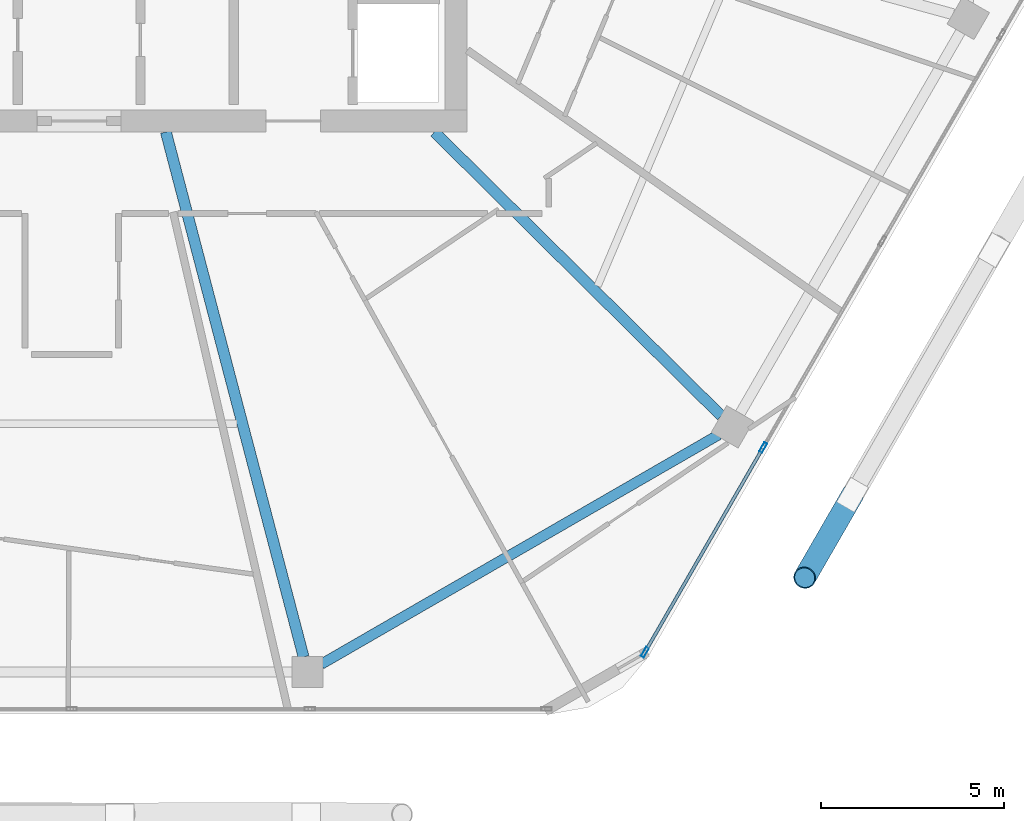
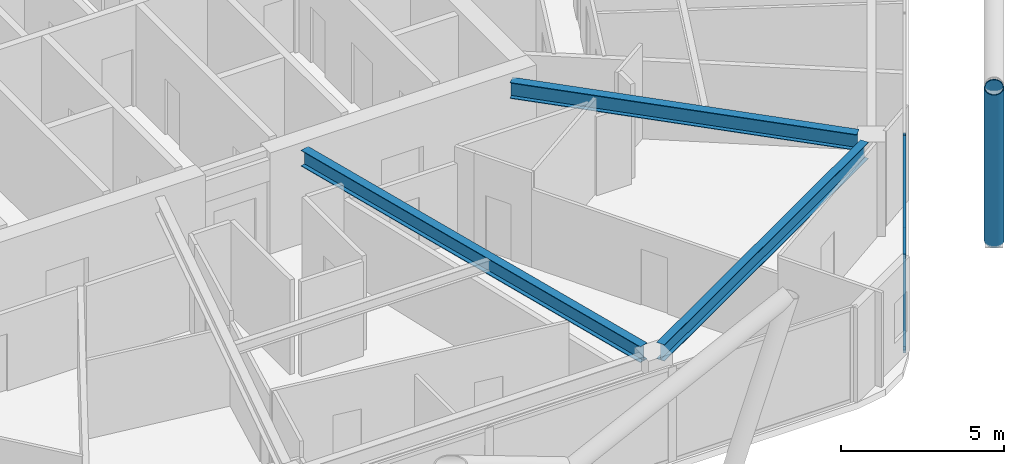
# One storey, part 8 of 28: 5 members, 3 beams, 1 element without a shape of its own.
"""IFC4 building model written with IfcOpenShell, lengths in metres."""

import ifcopenshell
import ifcopenshell.guid

model = None  # the IFC model being written
_history = None  # IfcOwnerHistory: only IFC2X3 demands one
_inside = {}  # id of a spatial element -> (the spatial element, [elements in it])
_under = {}  # id of a project, library or spatial element -> (it, [spatial elements below it])
_declared = {}  # id of a project -> (the project, [libraries it declares])
_typed = {}  # id of a type object -> (the type object, [elements of that type])
_made_of = {}  # id of a material, layer set ... -> (it, [elements and type objects made of it])


def new_model(schema):
    """Start an empty IFC model of exactly this schema.

    Asked for "IFC4X3", IfcOpenShell would pick the latest addendum, in which some entities
    have other attributes; the version numbers below select the first issue.
    IFC2X3 requires an IfcOwnerHistory on every rooted entity: one is made here for all.
    """
    global model, _history
    if schema == "IFC4X3":
        model = ifcopenshell.file(schema_version=(4, 3, 0, 0))
    else:
        model = ifcopenshell.file(schema=schema)
    _inside.clear()
    _under.clear()
    _declared.clear()
    _typed.clear()
    _made_of.clear()
    _history = None
    if model.schema == "IFC2X3":
        org = make("IfcOrganization", Name="unknown")
        user = make(
            "IfcPersonAndOrganization",
            ThePerson=make("IfcPerson", FamilyName="unknown"),
            TheOrganization=org,
        )
        app = make(
            "IfcApplication",
            ApplicationDeveloper=org,
            Version="unknown",
            ApplicationFullName="unknown",
            ApplicationIdentifier="unknown",
        )
        _history = make(
            "IfcOwnerHistory",
            OwningUser=user,
            OwningApplication=app,
            ChangeAction="ADDED",
            CreationDate=0,
        )
    return model


def make(cls, **values):
    """One entity of the class cls with the attributes given. An attribute that is None is left unset."""
    return model.create_entity(
        cls, **{name: value for name, value in values.items() if value is not None}
    )


def rooted(cls, **values):
    """An entity with a GlobalId (a new one), such as an element, a storey or a relation."""
    return make(cls, GlobalId=ifcopenshell.guid.new(), OwnerHistory=_history, **values)


def si_unit(unit_type, name, prefix=None):
    """IfcSIUnit, for example si_unit("LENGTHUNIT", "METRE", prefix="MILLI")."""
    return make("IfcSIUnit", UnitType=unit_type, Prefix=prefix, Name=name)


def assignment(units):
    """IfcUnitAssignment: the units of a project."""
    return None if units is None else make("IfcUnitAssignment", Units=units)


def point(xyz):
    """IfcCartesianPoint."""
    return None if xyz is None else make("IfcCartesianPoint", Coordinates=xyz)


def direction(xyz):
    """IfcDirection."""
    return None if xyz is None else make("IfcDirection", DirectionRatios=xyz)


def frame(location, z_axis=None, x_axis=None):
    """IfcAxis2Placement3D, a coordinate frame: its origin and axes. An axis left out is left unset."""
    return make(
        "IfcAxis2Placement3D",
        Location=point(location),
        Axis=direction(z_axis),
        RefDirection=direction(x_axis),
    )


def frame_2d(location, x_axis=None):
    """IfcAxis2Placement2D, a coordinate frame in the plane: its origin and x axis."""
    return make(
        "IfcAxis2Placement2D", Location=point(location), RefDirection=direction(x_axis)
    )


def origin():
    """The frame at (0, 0, 0) with its axes left unset."""
    return frame((0.0, 0.0, 0.0))


def origin_2d():
    """The frame at (0, 0) in the plane with its x axis left unset."""
    return frame_2d((0.0, 0.0))


def place(relative_to, where):
    """IfcLocalPlacement: puts the frame where relative to a parent placement (None: the world)."""
    return make(
        "IfcLocalPlacement", PlacementRelTo=relative_to, RelativePlacement=where
    )


def context(
    kind, dimensions, precision=None, world=None, true_north=None, identifier=None
):
    """IfcGeometricRepresentationContext, for example the 3D "Model" context."""
    return make(
        "IfcGeometricRepresentationContext",
        ContextIdentifier=identifier,
        ContextType=kind,
        CoordinateSpaceDimension=dimensions,
        Precision=precision,
        WorldCoordinateSystem=world,
        TrueNorth=true_north,
    )


def subcontext(parent, identifier, kind, view, scale=None):
    """IfcGeometricRepresentationSubContext, for example "Body" below "Model"."""
    return make(
        "IfcGeometricRepresentationSubContext",
        ContextIdentifier=identifier,
        ContextType=kind,
        ParentContext=parent,
        TargetScale=scale,
        TargetView=view,
    )


def project(units=None, contexts=None):
    """IfcProject with its units and contexts."""
    return rooted(
        "IfcProject",
        Name="project",
        RepresentationContexts=contexts,
        UnitsInContext=assignment(units),
    )


def spatial(cls, under=None, at=None, **own):
    """A site, building, storey or space (cls), placed at a placement, below another one or the project."""
    s = rooted(cls, ObjectPlacement=at, **own)
    if under is not None:
        _under.setdefault(under.id(), (under, []))[1].append(s)
    return s


def profile(cls, at=None, kind="AREA", **sizes):
    """A parametric profile (cls). Its sizes go by their IFC names, for example OverallWidth=200.0."""
    return make(cls, ProfileType=kind, Position=at, **sizes)


def hollow_rectangle(**sizes):
    """IfcRectangleHollowProfileDef."""
    return profile("IfcRectangleHollowProfileDef", **sizes)


def hollow_circle(**sizes):
    """IfcCircleHollowProfileDef."""
    return profile("IfcCircleHollowProfileDef", **sizes)


def i_section(**sizes):
    """IfcIShapeProfileDef."""
    return profile("IfcIShapeProfileDef", **sizes)


def extrude(swept, where, along, depth):
    """IfcExtrudedAreaSolid: the profile swept, set in the frame where, extruded along a direction by depth."""
    return make(
        "IfcExtrudedAreaSolid",
        SweptArea=swept,
        Position=where,
        ExtrudedDirection=direction(along),
        Depth=depth,
    )


def shape(context_of_items, identifier, shape_type, items):
    """IfcShapeRepresentation: the items that make up one representation, for example the "Body"."""
    return make(
        "IfcShapeRepresentation",
        ContextOfItems=context_of_items,
        RepresentationIdentifier=identifier,
        RepresentationType=shape_type,
        Items=items,
    )


def material(Name=None, Category=None):
    """IfcMaterial."""
    return make("IfcMaterial", Name=Name, Category=Category)


def material_profile(
    of_material, cross_section, Name=None, Category=None, Priority=None
):
    """IfcMaterialProfile: a cross section and its material."""
    return make(
        "IfcMaterialProfile",
        Name=Name,
        Material=of_material,
        Profile=cross_section,
        Priority=Priority,
        Category=Category,
    )


def profile_set(profiles, Name=None, composite=None):
    """IfcMaterialProfileSet."""
    return make(
        "IfcMaterialProfileSet",
        Name=Name,
        MaterialProfiles=profiles,
        CompositeProfile=composite,
    )


def made_of(thing, what):
    """Note that an element or type object is made of a material, layer set ...; save() writes the relation."""
    if what is not None:
        _made_of.setdefault(what.id(), (what, []))[1].append(thing)
    return thing


def type_object(cls, material=None, **own):
    """A type object (cls), such as IfcWallType, which elements share."""
    return made_of(rooted(cls, **own), material)


def element(
    cls,
    number,
    at=None,
    inside=None,
    cuts=None,
    type_object=None,
    material=None,
    context=None,
    identifier="Body",
    shape_type=None,
    held_by="IfcProductDefinitionShape",
    body=None,
    shapes=None,
    **own,
):
    """One element of the class cls, such as IfcWall. Its Tag is "e" and its number.

    at: its placement. inside: the storey or other place that contains it. cuts: it is an
    opening in that element (IfcRelVoidsElement). A single representation is given by context,
    identifier, shape_type and body (its items); several are given by shapes. held_by: the class
    of the entity that holds the representations. save() writes the other relations.
    """
    e = rooted(cls, Tag="e%d" % number, ObjectPlacement=at, **own)
    if body is not None:
        shapes = [shape(context, identifier, shape_type, body)]
    if shapes is not None:
        e.Representation = make(held_by, Representations=shapes)
    if inside is not None:
        _inside.setdefault(inside.id(), (inside, []))[1].append(e)
    if cuts is not None:
        rooted(
            "IfcRelVoidsElement", RelatingBuildingElement=cuts, RelatedOpeningElement=e
        )
    if type_object is not None:
        _typed.setdefault(type_object.id(), (type_object, []))[1].append(e)
    return made_of(e, material)


def aggregate(whole, parts):
    """IfcRelAggregates: a whole, such as a stair, and the parts it consists of."""
    return rooted("IfcRelAggregates", RelatingObject=whole, RelatedObjects=parts)


def save(model, path):
    """Write the relations noted so far, then the file.

    IfcRelAggregates (storeys below a building ...), IfcRelContainedInSpatialStructure (elements
    in a storey), IfcRelDefinesByType, IfcRelAssociatesMaterial and IfcRelDeclares: one each for
    every whole, place, type object, material and project.
    """
    for whole, parts in _under.values():
        aggregate(whole, parts)
    for where, things in _inside.values():
        rooted(
            "IfcRelContainedInSpatialStructure",
            RelatedElements=things,
            RelatingStructure=where,
        )
    for kind, things in _typed.values():
        rooted("IfcRelDefinesByType", RelatedObjects=things, RelatingType=kind)
    for what, things in _made_of.values():
        rooted("IfcRelAssociatesMaterial", RelatedObjects=things, RelatingMaterial=what)
    for by, libraries in _declared.values():
        rooted("IfcRelDeclares", RelatingContext=by, RelatedDefinitions=libraries)
    model.write(path)


model = new_model("IFC4")

# Units and contexts
model_context = context("Model", 3, precision=1e-05, world=origin(), true_north=direction((0.0, 1.0)))
body_context = subcontext(model_context, "Body", "Model", "MODEL_VIEW")
ifc_project = project(units=[si_unit("LENGTHUNIT", "METRE"), si_unit("AREAUNIT", "SQUARE_METRE"), si_unit("VOLUMEUNIT", "CUBIC_METRE"), si_unit("PLANEANGLEUNIT", "RADIAN"), si_unit("MASSUNIT", "GRAM", prefix="KILO")], contexts=[model_context])

# Site, building, storey
site_placement = place(None, origin())
site = spatial("IfcSite", under=ifc_project, at=site_placement, CompositionType="ELEMENT")
building_placement = place(site_placement, origin())
building = spatial("IfcBuilding", under=site, at=building_placement, Name="Zuhravey Tower", CompositionType="ELEMENT")
storey_placement = place(building_placement, frame((0.0, 0.0, 284.39990234375)))
storey = spatial("IfcBuildingStorey", under=building, at=storey_placement, Name="L72", CompositionType="ELEMENT", Elevation=284.39990234375)

# Curtain wall, members
ifc_material_1 = material(Name="Thermally broken anodised aluminium", Category="aluminium")
curtain_wall_type = type_object("IfcCurtainWallType", Name="Zone 3-4 High-Rise Curtain Wall CW4", PredefinedType="NOTDEFINED", material=ifc_material_1)
curtain_wall_placement = place(storey_placement, origin())
curtain_wall = element("IfcCurtainWall", 1, at=curtain_wall_placement, inside=storey, type_object=curtain_wall_type, Name="L72 CW4 CW-L72-F6-1", PredefinedType="NOTDEFINED")
ifc_material_2 = material(Name="Anodised aluminium", Category="aluminium")
ifc_material_profile_1 = material_profile(ifc_material_2, hollow_rectangle(XDim=0.090087890625, YDim=0.284912109375, WallThickness=0.0048828125, at=origin_2d()), Name="ALU-RHS-90x285x5")
ifc_profile_set_1 = profile_set([ifc_material_profile_1], Name="Anodised aluminium")
member_type_1 = type_object("IfcMemberType", Name="Curtain-Wall Mullion 90x180", PredefinedType="MULLION", material=ifc_profile_set_1)
member_1_placement = place(storey_placement, frame((54.885498046875, 13.58349609375, 0.0), z_axis=(0.0, 0.0, 1.0), x_axis=(0.866024851021, -0.500000957414, 0.0)))
member_1 = element("IfcMember", 2, at=member_1_placement, type_object=member_type_1, Name="CW4 mullion 4", PredefinedType="MULLION", context=body_context, shape_type="SweptSolid", body=[
    extrude(hollow_rectangle(XDim=0.090087890625, YDim=0.284912109375, WallThickness=0.0048828125, at=origin_2d()), origin(), (0.0, 0.0, 1.0), 3.550048828125),
])
member_2_placement = place(storey_placement, frame((51.65478515625, 7.98779296875, 0.0), z_axis=(0.0, 0.0, 1.0), x_axis=(0.866024851021, -0.500000957414, 0.0)))
member_2 = element("IfcMember", 3, at=member_2_placement, type_object=member_type_1, Name="CW4 mullion 5", PredefinedType="MULLION", context=body_context, shape_type="SweptSolid", body=[
    extrude(hollow_rectangle(XDim=0.090087890625, YDim=0.284912109375, WallThickness=0.0048828125, at=origin_2d()), origin(), (0.0, 0.0, 1.0), 3.550048828125),
])
ifc_material_profile_2 = material_profile(ifc_material_2, hollow_rectangle(XDim=0.090087890625, YDim=0.14990234375, WallThickness=0.0048828125, at=origin_2d()), Name="ALU-RHS-90x150x5")
ifc_profile_set_2 = profile_set([ifc_material_profile_2], Name="Anodised aluminium")
member_type_2 = type_object("IfcMemberType", Name="Curtain-Wall Transom 90x150", PredefinedType="USERDEFINED", material=ifc_profile_set_2)
member_3_placement = place(storey_placement, frame((54.863037109375, 13.544677734375, 0.045166015625), z_axis=(-0.499980071345, -0.866036909293, 0.0), x_axis=(0.866036909293, -0.499980071345, 0.0)))
member_3 = element("IfcMember", 4, at=member_3_placement, type_object=member_type_2, Name="CW4 transom 4.1", ObjectType="TRANSOM", PredefinedType="USERDEFINED", context=body_context, shape_type="SweptSolid", body=[
    extrude(hollow_rectangle(XDim=0.090087890625, YDim=0.14990234375, WallThickness=0.0048828125, at=origin_2d()), origin(), (0.0, 0.0, 1.0), 6.371337890625),
])
member_4_placement = place(storey_placement, frame((54.863037109375, 13.544677734375, 3.505126953125), z_axis=(-0.499980071345, -0.866036909293, 0.0), x_axis=(0.866036909293, -0.499980071345, 0.0)))
member_4 = element("IfcMember", 5, at=member_4_placement, type_object=member_type_2, Name="CW4 transom 4.2", ObjectType="TRANSOM", PredefinedType="USERDEFINED", context=body_context, shape_type="SweptSolid", body=[
    extrude(hollow_rectangle(XDim=0.090087890625, YDim=0.14990234375, WallThickness=0.0048828125, at=origin_2d()), origin(), (0.0, 0.0, 1.0), 6.371337890625),
])
aggregate(curtain_wall, [member_1, member_2, member_3, member_4])

# Member
ifc_material_3 = material(Name="Steel SM355", Category="steel")
ifc_material_profile_3 = material_profile(ifc_material_3, hollow_circle(Radius=0.3046875, WallThickness=0.028076171875, at=origin_2d()), Name="CHS-609.6x28")
ifc_profile_set_3 = profile_set([ifc_material_profile_3], Name="Steel SM355")
member_type_3 = type_object("IfcMemberType", Name="Exoskeleton Zone 3 Diagrid CHS610x28", PredefinedType="BRACE", material=ifc_profile_set_3)
member_5_placement = place(storey_placement, frame((57.322021484375, 12.28369140625, -0.44580078125), z_axis=(-0.163029217662, -0.282394798701, 0.945343668649), x_axis=(0.866040668696, -0.499973559465, 0.0)))
element("IfcMember", 6, at=member_5_placement, inside=storey, type_object=member_type_3, Name="L72 Face 6 Diagrid Brace 1", PredefinedType="BRACE", context=body_context, shape_type="SweptSolid", body=[
    extrude(hollow_circle(Radius=0.3046875, WallThickness=0.028076171875, at=origin_2d()), origin(), (0.0, 0.0, 1.0), 8.001220703125),
])

# Beams
ifc_material_profile_4 = material_profile(ifc_material_3, i_section(OverallWidth=0.280029296875, OverallDepth=0.6201171875, WebThickness=0.011962890625, FlangeThickness=0.02001953125, at=origin_2d()), Name="H-620x280x12x20")
ifc_profile_set_4 = profile_set([ifc_material_profile_4], Name="Steel SM355")
beam_type_1 = type_object("IfcBeamType", Name="Perimeter Ring Beam H620x280", PredefinedType="BEAM", material=ifc_profile_set_4)
beam_1_placement = place(storey_placement, frame((42.8115234375, 7.660400390625, 3.239990234375), z_axis=(0.866018312875, 0.500012281615, 0.0), x_axis=(-0.500012281615, 0.866018312875, 0.0)))
element("IfcBeam", 7, at=beam_1_placement, inside=storey, type_object=beam_type_1, Name="L72 PB3 BM-L72-PB-10", PredefinedType="BEAM", context=body_context, shape_type="SweptSolid", body=[
    extrude(i_section(OverallWidth=0.280029296875, OverallDepth=0.6201171875, WebThickness=0.011962890625, FlangeThickness=0.02001953125, at=origin_2d()), origin(), (0.0, 0.0, 1.0), 12.541748046875),
])
ifc_material_profile_5 = material_profile(ifc_material_3, i_section(OverallWidth=0.300048828125, OverallDepth=0.60009765625, WebThickness=0.011962890625, FlangeThickness=0.02001953125, at=origin_2d()), Name="H-600x300x12x20")
ifc_profile_set_5 = profile_set([ifc_material_profile_5], Name="Steel SM355")
beam_type_2 = type_object("IfcBeamType", Name="Radial Primary Girder H600x300", PredefinedType="BEAM", material=ifc_profile_set_5)
beam_2_placement = place(storey_placement, frame((38.571533203125, 22.197021484375, 3.25), z_axis=(0.25373188956, -0.967274587809, 0.0), x_axis=(0.967274587809, 0.25373188956, 0.0)))
element("IfcBeam", 8, at=beam_2_placement, inside=storey, type_object=beam_type_2, Name="L72 RG3 BM-L72-RAD-10", PredefinedType="BEAM", context=body_context, shape_type="SweptSolid", body=[
    extrude(i_section(OverallWidth=0.300048828125, OverallDepth=0.60009765625, WebThickness=0.011962890625, FlangeThickness=0.02001953125, at=origin_2d()), origin(), (0.0, 0.0, 1.0), 14.82177734375),
])
beam_3_placement = place(storey_placement, frame((45.90673828125, 22.197021484375, 3.25), z_axis=(0.710808169267, -0.70338591577, 0.0), x_axis=(0.70338591577, 0.710808169267, 0.0)))
element("IfcBeam", 9, at=beam_3_placement, inside=storey, type_object=beam_type_2, Name="L72 RG3 BM-L72-RAD-11", PredefinedType="BEAM", context=body_context, shape_type="SweptSolid", body=[
    extrude(i_section(OverallWidth=0.300048828125, OverallDepth=0.60009765625, WebThickness=0.011962890625, FlangeThickness=0.02001953125, at=origin_2d()), origin(), (0.0, 0.0, 1.0), 11.019287109375),
])

save(model, "model.ifc")
